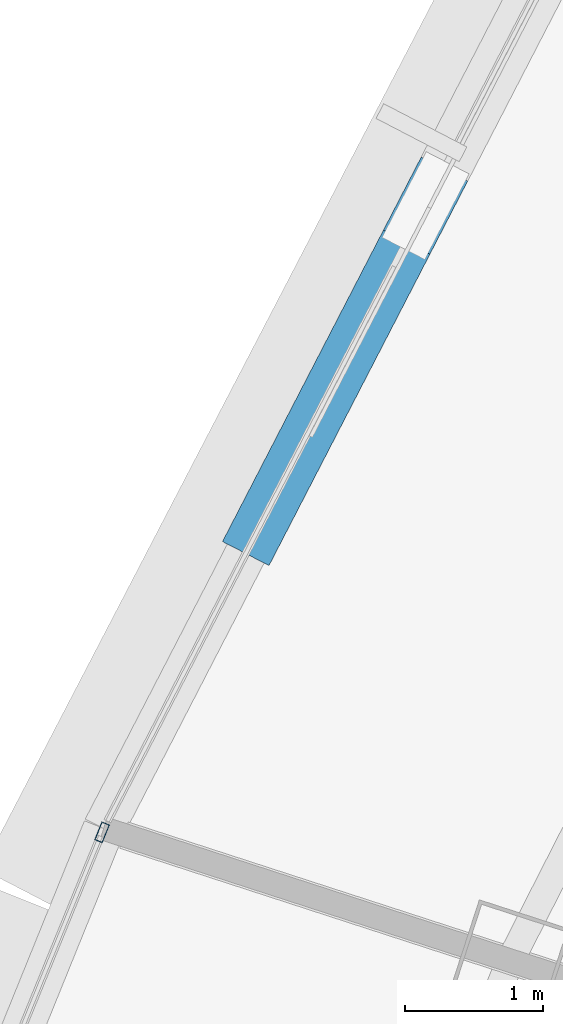
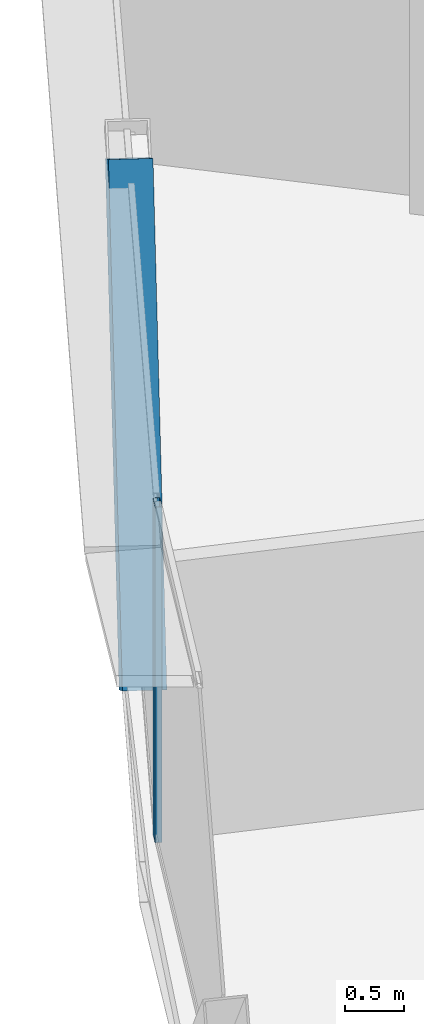
# One storey, part 7 of 26: 2 members, 1 element without a shape of its own.
"""IFC4 building model written with IfcOpenShell, lengths in metres."""

from ifc_helpers import new_model, si_unit, direction, frame, origin, origin_2d, place, context, subcontext, project, spatial, hollow_rectangle, extrude, source, transform, mapped, material, layer, layer_set, material_profile, profile_set, type_object, element, aggregate, save


model = new_model("IFC4")

# Units and contexts
model_context = context("Model", 3, precision=1e-05, world=origin(), true_north=direction((0.0, 1.0)))
body_context = subcontext(model_context, "Body", "Model", "MODEL_VIEW")
ifc_project = project(units=[si_unit("LENGTHUNIT", "METRE"), si_unit("AREAUNIT", "SQUARE_METRE"), si_unit("VOLUMEUNIT", "CUBIC_METRE"), si_unit("PLANEANGLEUNIT", "RADIAN"), si_unit("MASSUNIT", "GRAM", prefix="KILO"), si_unit("THERMODYNAMICTEMPERATUREUNIT", "KELVIN"), si_unit("POWERUNIT", "WATT")], contexts=[model_context])

# Site, building, storey
site_placement = place(None, origin())
site = spatial("IfcSite", under=ifc_project, at=site_placement, CompositionType="ELEMENT")
building_placement = place(site_placement, origin())
building = spatial("IfcBuilding", under=site, at=building_placement, Name="Yunzhuo Pagoda Commons", CompositionType="ELEMENT")
storey_placement = place(building_placement, frame((0.0, 0.0, 340.510009765625)))
storey = spatial("IfcBuildingStorey", under=building, at=storey_placement, Name="L85", CompositionType="ELEMENT", Elevation=340.510009765625)

# Member
ifc_material_1 = material(Name="Structural steel Q355B", Category="steel")
ifc_material_profile_1 = material_profile(ifc_material_1, hollow_rectangle(XDim=0.3798828125, YDim=0.719970703125, WallThickness=0.02001953125, at=origin_2d()), Name="Structural steel Q355B")
ifc_profile_set_1 = profile_set([ifc_material_profile_1], Name="Structural steel Q355B")
member_type_1 = type_object("IfcMemberType", Name="M-DL3 Brace BOX 720x380x20", PredefinedType="BRACE", material=ifc_profile_set_1)
shared_shape_1 = source(origin(), body_context, "Body", "SweptSolid", [
    extrude(hollow_rectangle(XDim=0.3798828125, YDim=0.719970703125, WallThickness=0.02001953125, at=origin_2d()), origin(), (0.0, 0.0, 1.0), 4.530517578125),
])
member_1_placement = place(storey_placement, frame((26.164306640625, 43.4326171875, -0.260009765625), z_axis=(0.257636265393, 0.498513509968, 0.827712410886), x_axis=(-0.888374338506, 0.459119847843, 0.0)))
element("IfcMember", 1, at=member_1_placement, inside=storey, type_object=member_type_1, Name="L85 facade diamond brace F3.2R", PredefinedType="BRACE", context=body_context, shape_type="MappedRepresentation", body=[
    mapped(shared_shape_1, transform((0.0, 0.0, 0.0), scale=1.0)),
])

# Curtain wall, member
ifc_material_2 = material(Name="Anodized aluminium 6063-T6", Category="aluminium")
ifc_layer = layer(ifc_material_2, 0.139892578125)
ifc_layer_set = layer_set([ifc_layer], Name="Anodized aluminium 6063-T6")
curtain_wall_type = type_object("IfcCurtainWallType", Name="CW-HI High-Zone Ribbon Curtain Wall", PredefinedType="NOTDEFINED", material=ifc_layer_set)
curtain_wall_placement = place(storey_placement, origin())
curtain_wall = element("IfcCurtainWall", 2, at=curtain_wall_placement, inside=storey, type_object=curtain_wall_type, Name="L85 curtain wall CW-L85-F3B4", PredefinedType="NOTDEFINED")
ifc_material_profile_2 = material_profile(ifc_material_2, hollow_rectangle(XDim=0.06005859375, YDim=0.139892578125, WallThickness=0.00341796875, at=origin_2d()), Name="Anodized aluminium 6063-T6")
ifc_profile_set_2 = profile_set([ifc_material_profile_2], Name="Anodized aluminium 6063-T6")
member_type_2 = type_object("IfcMemberType", Name="CW-HI-M Mullion RHS 140x60x3.5", PredefinedType="MULLION", material=ifc_profile_set_2)
shared_shape_2 = source(origin(), body_context, "Body", "SweptSolid", [
    extrude(hollow_rectangle(XDim=0.06005859375, YDim=0.139892578125, WallThickness=0.00341796875, at=origin_2d()), origin(), (0.0, 0.0, 1.0), 3.489990234375),
])
member_2_placement = place(storey_placement, frame((24.98583984375, 41.146240234375, 0.0), z_axis=(0.0, 0.0, 1.0), x_axis=(0.925729863061, -0.37818543155, 0.0)))
member_2 = element("IfcMember", 3, at=member_2_placement, type_object=member_type_2, Name="CW mullion 1", PredefinedType="MULLION", context=body_context, shape_type="MappedRepresentation", body=[
    mapped(shared_shape_2, transform((0.0, 0.0, 0.0), scale=1.0)),
])
aggregate(curtain_wall, [member_2])

save(model, "model.ifc")
